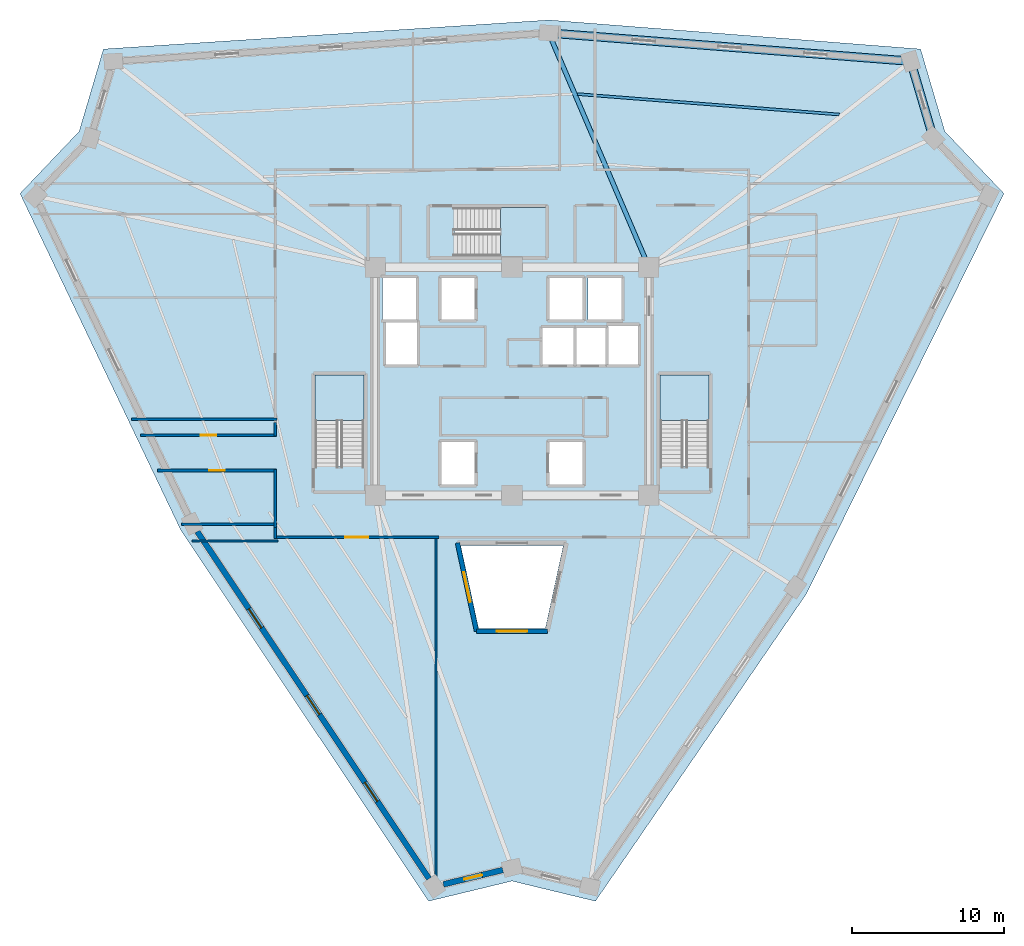
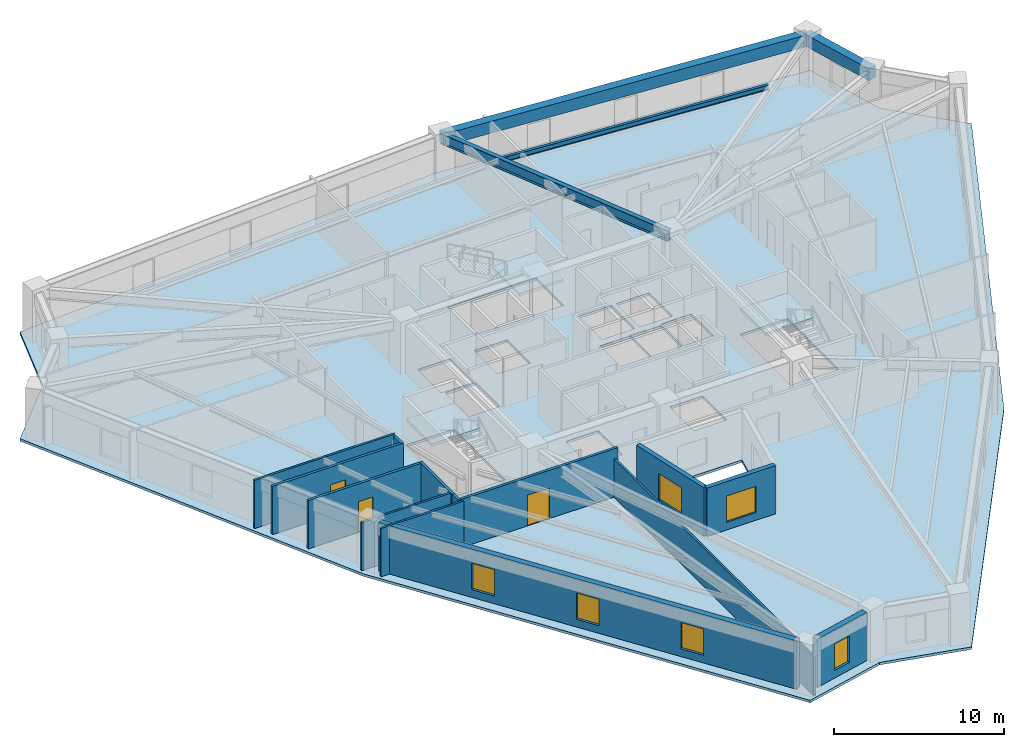
# One storey, part 2 of 8: 14 walls, 6 windows, 4 beams, 4 slabs, 3 doors, 9 openings, 3 elements without a shape of their own.
"""IFC4 building model written with IfcOpenShell, lengths in metres."""

import ifcopenshell
import ifcopenshell.guid

model = None  # the IFC model being written
_history = None  # IfcOwnerHistory: only IFC2X3 demands one
_inside = {}  # id of a spatial element -> (the spatial element, [elements in it])
_under = {}  # id of a project, library or spatial element -> (it, [spatial elements below it])
_declared = {}  # id of a project -> (the project, [libraries it declares])
_typed = {}  # id of a type object -> (the type object, [elements of that type])
_made_of = {}  # id of a material, layer set ... -> (it, [elements and type objects made of it])


def new_model(schema):
    """Start an empty IFC model of exactly this schema.

    Asked for "IFC4X3", IfcOpenShell would pick the latest addendum, in which some entities
    have other attributes; the version numbers below select the first issue.
    IFC2X3 requires an IfcOwnerHistory on every rooted entity: one is made here for all.
    """
    global model, _history
    if schema == "IFC4X3":
        model = ifcopenshell.file(schema_version=(4, 3, 0, 0))
    else:
        model = ifcopenshell.file(schema=schema)
    _inside.clear()
    _under.clear()
    _declared.clear()
    _typed.clear()
    _made_of.clear()
    _history = None
    if model.schema == "IFC2X3":
        org = make("IfcOrganization", Name="unknown")
        user = make(
            "IfcPersonAndOrganization",
            ThePerson=make("IfcPerson", FamilyName="unknown"),
            TheOrganization=org,
        )
        app = make(
            "IfcApplication",
            ApplicationDeveloper=org,
            Version="unknown",
            ApplicationFullName="unknown",
            ApplicationIdentifier="unknown",
        )
        _history = make(
            "IfcOwnerHistory",
            OwningUser=user,
            OwningApplication=app,
            ChangeAction="ADDED",
            CreationDate=0,
        )
    return model


def make(cls, **values):
    """One entity of the class cls with the attributes given. An attribute that is None is left unset."""
    return model.create_entity(
        cls, **{name: value for name, value in values.items() if value is not None}
    )


def rooted(cls, **values):
    """An entity with a GlobalId (a new one), such as an element, a storey or a relation."""
    return make(cls, GlobalId=ifcopenshell.guid.new(), OwnerHistory=_history, **values)


def si_unit(unit_type, name, prefix=None):
    """IfcSIUnit, for example si_unit("LENGTHUNIT", "METRE", prefix="MILLI")."""
    return make("IfcSIUnit", UnitType=unit_type, Prefix=prefix, Name=name)


def assignment(units):
    """IfcUnitAssignment: the units of a project."""
    return None if units is None else make("IfcUnitAssignment", Units=units)


def point(xyz):
    """IfcCartesianPoint."""
    return None if xyz is None else make("IfcCartesianPoint", Coordinates=xyz)


def direction(xyz):
    """IfcDirection."""
    return None if xyz is None else make("IfcDirection", DirectionRatios=xyz)


def frame(location, z_axis=None, x_axis=None):
    """IfcAxis2Placement3D, a coordinate frame: its origin and axes. An axis left out is left unset."""
    return make(
        "IfcAxis2Placement3D",
        Location=point(location),
        Axis=direction(z_axis),
        RefDirection=direction(x_axis),
    )


def frame_2d(location, x_axis=None):
    """IfcAxis2Placement2D, a coordinate frame in the plane: its origin and x axis."""
    return make(
        "IfcAxis2Placement2D", Location=point(location), RefDirection=direction(x_axis)
    )


def origin():
    """The frame at (0, 0, 0) with its axes left unset."""
    return frame((0.0, 0.0, 0.0))


def origin_2d():
    """The frame at (0, 0) in the plane with its x axis left unset."""
    return frame_2d((0.0, 0.0))


def place(relative_to, where):
    """IfcLocalPlacement: puts the frame where relative to a parent placement (None: the world)."""
    return make(
        "IfcLocalPlacement", PlacementRelTo=relative_to, RelativePlacement=where
    )


def context(
    kind, dimensions, precision=None, world=None, true_north=None, identifier=None
):
    """IfcGeometricRepresentationContext, for example the 3D "Model" context."""
    return make(
        "IfcGeometricRepresentationContext",
        ContextIdentifier=identifier,
        ContextType=kind,
        CoordinateSpaceDimension=dimensions,
        Precision=precision,
        WorldCoordinateSystem=world,
        TrueNorth=true_north,
    )


def subcontext(parent, identifier, kind, view, scale=None):
    """IfcGeometricRepresentationSubContext, for example "Body" below "Model"."""
    return make(
        "IfcGeometricRepresentationSubContext",
        ContextIdentifier=identifier,
        ContextType=kind,
        ParentContext=parent,
        TargetScale=scale,
        TargetView=view,
    )


def project(units=None, contexts=None):
    """IfcProject with its units and contexts."""
    return rooted(
        "IfcProject",
        Name="project",
        RepresentationContexts=contexts,
        UnitsInContext=assignment(units),
    )


def spatial(cls, under=None, at=None, **own):
    """A site, building, storey or space (cls), placed at a placement, below another one or the project."""
    s = rooted(cls, ObjectPlacement=at, **own)
    if under is not None:
        _under.setdefault(under.id(), (under, []))[1].append(s)
    return s


def polyline(points):
    """IfcPolyline through the points."""
    return make("IfcPolyline", Points=[point(p) for p in points])


def profile(cls, at=None, kind="AREA", **sizes):
    """A parametric profile (cls). Its sizes go by their IFC names, for example OverallWidth=200.0."""
    return make(cls, ProfileType=kind, Position=at, **sizes)


def rectangle(**sizes):
    """IfcRectangleProfileDef."""
    return profile("IfcRectangleProfileDef", **sizes)


def i_section(**sizes):
    """IfcIShapeProfileDef."""
    return profile("IfcIShapeProfileDef", **sizes)


def outline(outer, holes=None, kind="AREA"):
    """IfcArbitraryClosedProfileDef: a profile drawn as a closed curve; with holes, ...WithVoids."""
    if holes is None:
        return make("IfcArbitraryClosedProfileDef", ProfileType=kind, OuterCurve=outer)
    return make(
        "IfcArbitraryProfileDefWithVoids",
        ProfileType=kind,
        OuterCurve=outer,
        InnerCurves=holes,
    )


def extrude(swept, where, along, depth):
    """IfcExtrudedAreaSolid: the profile swept, set in the frame where, extruded along a direction by depth."""
    return make(
        "IfcExtrudedAreaSolid",
        SweptArea=swept,
        Position=where,
        ExtrudedDirection=direction(along),
        Depth=depth,
    )


def shape(context_of_items, identifier, shape_type, items):
    """IfcShapeRepresentation: the items that make up one representation, for example the "Body"."""
    return make(
        "IfcShapeRepresentation",
        ContextOfItems=context_of_items,
        RepresentationIdentifier=identifier,
        RepresentationType=shape_type,
        Items=items,
    )


def source(mapping_origin, context_of_items, identifier, shape_type, items):
    """IfcRepresentationMap: a shape defined once, which mapped items show again and again."""
    return make(
        "IfcRepresentationMap",
        MappingOrigin=mapping_origin,
        MappedRepresentation=shape(context_of_items, identifier, shape_type, items),
    )


def transform(
    local_origin,
    x_axis=None,
    y_axis=None,
    z_axis=None,
    scale=None,
    scale2=None,
    scale3=None,
    uniform=True,
):
    """IfcCartesianTransformationOperator3D, or its non-uniform kind. x_axis, y_axis, z_axis: its Axis1, 2, 3."""
    if uniform:
        return make(
            "IfcCartesianTransformationOperator3D",
            Axis1=direction(x_axis),
            Axis2=direction(y_axis),
            LocalOrigin=point(local_origin),
            Scale=scale,
            Axis3=direction(z_axis),
        )
    return make(
        "IfcCartesianTransformationOperator3DnonUniform",
        Axis1=direction(x_axis),
        Axis2=direction(y_axis),
        LocalOrigin=point(local_origin),
        Scale=scale,
        Axis3=direction(z_axis),
        Scale2=scale2,
        Scale3=scale3,
    )


def mapped(mapping_source, mapping_target):
    """IfcMappedItem: shows the shape of a source again, moved by a transform."""
    return make(
        "IfcMappedItem", MappingSource=mapping_source, MappingTarget=mapping_target
    )


def material(Name=None, Category=None):
    """IfcMaterial."""
    return make("IfcMaterial", Name=Name, Category=Category)


def layer(
    of_material, thickness, ventilated=None, Name=None, Category=None, Priority=None
):
    """IfcMaterialLayer: one layer of a wall or slab, of a material (None: an air gap)."""
    return make(
        "IfcMaterialLayer",
        Material=of_material,
        LayerThickness=thickness,
        IsVentilated=ventilated,
        Name=Name,
        Category=Category,
        Priority=Priority,
    )


def layer_set(layers, Name=None):
    """IfcMaterialLayerSet."""
    return make("IfcMaterialLayerSet", MaterialLayers=layers, LayerSetName=Name)


def material_profile(
    of_material, cross_section, Name=None, Category=None, Priority=None
):
    """IfcMaterialProfile: a cross section and its material."""
    return make(
        "IfcMaterialProfile",
        Name=Name,
        Material=of_material,
        Profile=cross_section,
        Priority=Priority,
        Category=Category,
    )


def profile_set(profiles, Name=None, composite=None):
    """IfcMaterialProfileSet."""
    return make(
        "IfcMaterialProfileSet",
        Name=Name,
        MaterialProfiles=profiles,
        CompositeProfile=composite,
    )


def made_of(thing, what):
    """Note that an element or type object is made of a material, layer set ...; save() writes the relation."""
    if what is not None:
        _made_of.setdefault(what.id(), (what, []))[1].append(thing)
    return thing


def type_object(cls, material=None, **own):
    """A type object (cls), such as IfcWallType, which elements share."""
    return made_of(rooted(cls, **own), material)


def element(
    cls,
    number,
    at=None,
    inside=None,
    cuts=None,
    type_object=None,
    material=None,
    context=None,
    identifier="Body",
    shape_type=None,
    held_by="IfcProductDefinitionShape",
    body=None,
    shapes=None,
    **own,
):
    """One element of the class cls, such as IfcWall. Its Tag is "e" and its number.

    at: its placement. inside: the storey or other place that contains it. cuts: it is an
    opening in that element (IfcRelVoidsElement). A single representation is given by context,
    identifier, shape_type and body (its items); several are given by shapes. held_by: the class
    of the entity that holds the representations. save() writes the other relations.
    """
    e = rooted(cls, Tag="e%d" % number, ObjectPlacement=at, **own)
    if body is not None:
        shapes = [shape(context, identifier, shape_type, body)]
    if shapes is not None:
        e.Representation = make(held_by, Representations=shapes)
    if inside is not None:
        _inside.setdefault(inside.id(), (inside, []))[1].append(e)
    if cuts is not None:
        rooted(
            "IfcRelVoidsElement", RelatingBuildingElement=cuts, RelatedOpeningElement=e
        )
    if type_object is not None:
        _typed.setdefault(type_object.id(), (type_object, []))[1].append(e)
    return made_of(e, material)


def fill(opening, filler):
    """IfcRelFillsElement: the door or window that sits in an opening."""
    return rooted(
        "IfcRelFillsElement",
        RelatingOpeningElement=opening,
        RelatedBuildingElement=filler,
    )


def aggregate(whole, parts):
    """IfcRelAggregates: a whole, such as a stair, and the parts it consists of."""
    return rooted("IfcRelAggregates", RelatingObject=whole, RelatedObjects=parts)


def save(model, path):
    """Write the relations noted so far, then the file.

    IfcRelAggregates (storeys below a building ...), IfcRelContainedInSpatialStructure (elements
    in a storey), IfcRelDefinesByType, IfcRelAssociatesMaterial and IfcRelDeclares: one each for
    every whole, place, type object, material and project.
    """
    for whole, parts in _under.values():
        aggregate(whole, parts)
    for where, things in _inside.values():
        rooted(
            "IfcRelContainedInSpatialStructure",
            RelatedElements=things,
            RelatingStructure=where,
        )
    for kind, things in _typed.values():
        rooted("IfcRelDefinesByType", RelatedObjects=things, RelatingType=kind)
    for what, things in _made_of.values():
        rooted("IfcRelAssociatesMaterial", RelatedObjects=things, RelatingMaterial=what)
    for by, libraries in _declared.values():
        rooted("IfcRelDeclares", RelatingContext=by, RelatedDefinitions=libraries)
    model.write(path)


model = new_model("IFC4")

# Units and contexts
model_context = context("Model", 3, precision=1e-05, world=origin(), true_north=direction((0.0, 1.0)))
body_context = subcontext(model_context, "Body", "Model", "MODEL_VIEW")
ifc_project = project(units=[si_unit("LENGTHUNIT", "METRE"), si_unit("AREAUNIT", "SQUARE_METRE"), si_unit("VOLUMEUNIT", "CUBIC_METRE"), si_unit("PLANEANGLEUNIT", "RADIAN"), si_unit("MASSUNIT", "GRAM", prefix="KILO")], contexts=[model_context])

# Site, building, storey
site_placement = place(None, origin())
site = spatial("IfcSite", under=ifc_project, at=site_placement, CompositionType="ELEMENT")
building_placement = place(site_placement, origin())
building = spatial("IfcBuilding", under=site, at=building_placement, Name="Liaohun Quay Tower", CompositionType="ELEMENT")
storey_placement = place(building_placement, frame((0.0, 0.0, 273.75)))
storey = spatial("IfcBuildingStorey", under=building, at=storey_placement, Name="L71", CompositionType="ELEMENT", Elevation=273.75)

# Beams
ifc_material_1 = material(Name="Steel Q355D", Category="steel")
ifc_material_profile_1 = material_profile(ifc_material_1, i_section(OverallWidth=0.300048828125, OverallDepth=0.75, WebThickness=0.013916015625, FlangeThickness=0.02587890625, at=origin_2d()), Name="HN750x300x14x26")
ifc_profile_set_1 = profile_set([ifc_material_profile_1], Name="Steel Q355D")
beam_type_1 = type_object("IfcBeamType", Name="BM-RAD-M2", PredefinedType="BEAM", material=ifc_profile_set_1)
shared_shape_1 = source(origin(), body_context, "Body", "SweptSolid", [
    extrude(i_section(OverallWidth=0.300048828125, OverallDepth=0.75, WebThickness=0.013916015625, FlangeThickness=0.02587890625, at=origin_2d()), origin(), (0.0, 0.0, 1.0), 16.7490234375),
])
beam_1_placement = place(storey_placement, frame((69.0, 61.5, 3.094970703125), z_axis=(-0.393331635304, 0.919396663399, 0.0), x_axis=(-0.919396663399, -0.393331635304, 0.0)))
element("IfcBeam", 1, at=beam_1_placement, inside=storey, type_object=beam_type_1, Name="L71 Radial Primary Girder CC4-PC06", PredefinedType="BEAM", context=body_context, shape_type="MappedRepresentation", body=[
    mapped(shared_shape_1, transform((0.0, 0.0, 0.0), x_axis=(1.0, 0.0, 0.0), y_axis=(0.0, 1.0, 0.0), z_axis=(0.0, 0.0, 1.0), scale=1.0)),
])
ifc_material_profile_2 = material_profile(ifc_material_1, i_section(OverallWidth=0.175048828125, OverallDepth=0.35009765625, WebThickness=0.007080078125, FlangeThickness=0.010986328125, at=origin_2d()), Name="HN350x175x7x11")
ifc_profile_set_2 = profile_set([ifc_material_profile_2], Name="Steel Q355D")
beam_type_2 = type_object("IfcBeamType", Name="BM-SEC-J3", PredefinedType="JOIST", material=ifc_profile_set_2)
shared_shape_2 = source(origin(), body_context, "Body", "SweptSolid", [
    extrude(i_section(OverallWidth=0.175048828125, OverallDepth=0.35009765625, WebThickness=0.007080078125, FlangeThickness=0.010986328125, at=origin_2d()), origin(), (0.0, 0.0, 1.0), 17.2734375),
])
beam_2_placement = place(storey_placement, frame((64.2939453125, 72.882080078125, 3.294921875), z_axis=(0.996964010265, -0.077863741477, 0.0), x_axis=(0.077863741477, 0.996964010265, 0.0)))
element("IfcBeam", 2, at=beam_2_placement, inside=storey, type_object=beam_type_2, Name="L71 Wing Secondary Floor Joist SJ-09", PredefinedType="JOIST", context=body_context, shape_type="MappedRepresentation", body=[
    mapped(shared_shape_2, transform((0.0, 0.0, 0.0), x_axis=(1.0, 0.0, 0.0), y_axis=(0.0, 1.0, 0.0), z_axis=(0.0, 0.0, 1.0), scale=1.0)),
])
ifc_material_2 = material(Name="Precast concrete C50", Category="concrete")
ifc_material_profile_3 = material_profile(ifc_material_2, rectangle(XDim=0.550048828125, YDim=0.85009765625, at=origin_2d()), Name="RC550x850")
ifc_profile_set_3 = profile_set([ifc_material_profile_3], Name="Precast concrete C50")
beam_type_3 = type_object("IfcBeamType", Name="BM-SPD-Z3", PredefinedType="SPANDREL", material=ifc_profile_set_3)
shared_shape_3 = source(origin(), body_context, "Body", "SweptSolid", [
    extrude(rectangle(XDim=0.550048828125, YDim=0.85009765625, at=origin_2d()), origin(), (0.0, 0.0, 1.0), 23.870361328125),
])
beam_3_placement = place(storey_placement, frame((62.412109375, 76.89892578125, 3.044921875), z_axis=(0.996963183645, -0.07787432476, 0.0), x_axis=(0.07787432476, 0.996963183645, 0.0)))
element("IfcBeam", 3, at=beam_3_placement, inside=storey, type_object=beam_type_3, Name="L71 Precast Spandrel Beam PC06-PC07", PredefinedType="SPANDREL", context=body_context, shape_type="MappedRepresentation", body=[
    mapped(shared_shape_3, transform((0.0, 0.0, 0.0), x_axis=(1.0, 0.0, 0.0), y_axis=(0.0, 1.0, 0.0), z_axis=(0.0, 0.0, 1.0), scale=1.0)),
])
shared_shape_4 = source(origin(), body_context, "Body", "SweptSolid", [
    extrude(rectangle(XDim=0.550048828125, YDim=0.85009765625, at=origin_2d()), origin(), (0.0, 0.0, 1.0), 5.262939453125),
])
beam_4_placement = place(storey_placement, frame((86.2099609375, 75.0400390625, 3.044921875), z_axis=(0.282743925376, -0.959195429859, 0.0), x_axis=(0.959195429859, 0.282743925376, 0.0)))
element("IfcBeam", 4, at=beam_4_placement, inside=storey, type_object=beam_type_3, Name="L71 Precast Spandrel Beam PC07-PC08", PredefinedType="SPANDREL", context=body_context, shape_type="MappedRepresentation", body=[
    mapped(shared_shape_4, transform((0.0, 0.0, 0.0), x_axis=(1.0, 0.0, 0.0), y_axis=(0.0, 1.0, 0.0), z_axis=(0.0, 0.0, 1.0), scale=1.0)),
])

# Stair, slab
ifc_material_3 = material(Name="Concrete C45", Category="concrete")
stair_type = type_object("IfcStairType", Name="STR-CORE-OFF", PredefinedType="HALF_TURN_STAIR", material=ifc_material_3)
stair_1_placement = place(storey_placement, origin())
stair_1 = element("IfcStair", 5, at=stair_1_placement, inside=storey, type_object=stair_type, Name="L71 Smokeproof Core Exit Stair ST-1", PredefinedType="HALF_TURN_STAIR")
ifc_layer_1 = layer(ifc_material_3, 0.199951171875, Name="Concrete C45", Category="concrete")
ifc_layer_set_1 = layer_set([ifc_layer_1], Name="Concrete C45")
slab_type_1 = type_object("IfcSlabType", Name="SLB-LND-200", PredefinedType="LANDING", material=ifc_layer_set_1)
slab_1_placement = place(storey_placement, frame((0.0, 0.0, 1.675048828125)))
slab_1 = element("IfcSlab", 6, at=slab_1_placement, type_object=slab_type_1, Name="ST-1 landing 1", PredefinedType="LANDING", context=body_context, shape_type="SweptSolid", body=[
    extrude(outline(polyline([(50.280029296875, 51.429931640625), (50.280029296875, 54.419921875), (47.0400390625, 54.419921875), (47.0400390625, 51.429931640625), (50.280029296875, 51.429931640625)])), origin(), (0.0, 0.0, 1.0), 0.199951171875),
])
aggregate(stair_1, [slab_1])

stair_2_placement = place(storey_placement, origin())
stair_2 = element("IfcStair", 7, at=stair_2_placement, inside=storey, type_object=stair_type, Name="L71 Smokeproof Core Exit Stair ST-2", PredefinedType="HALF_TURN_STAIR")
slab_2_placement = place(storey_placement, frame((0.0, 0.0, 1.675048828125)))
slab_2 = element("IfcSlab", 8, at=slab_2_placement, type_object=slab_type_1, Name="ST-2 landing 1", PredefinedType="LANDING", context=body_context, shape_type="SweptSolid", body=[
    extrude(outline(polyline([(72.9599609375, 51.429931640625), (72.9599609375, 54.419921875), (69.719970703125, 54.419921875), (69.719970703125, 51.429931640625), (72.9599609375, 51.429931640625)])), origin(), (0.0, 0.0, 1.0), 0.199951171875),
])
aggregate(stair_2, [slab_2])

stair_3_placement = place(storey_placement, origin())
stair_3 = element("IfcStair", 9, at=stair_3_placement, inside=storey, type_object=stair_type, Name="L71 Smokeproof Core Exit Stair ST-3", PredefinedType="HALF_TURN_STAIR")
slab_3_placement = place(storey_placement, frame((0.0, 0.0, 1.675048828125)))
slab_3 = element("IfcSlab", 10, at=slab_3_placement, type_object=slab_type_1, Name="ST-3 landing 1", PredefinedType="LANDING", context=body_context, shape_type="SweptSolid", body=[
    extrude(outline(polyline([(59.22998046875, 62.199951171875), (62.219970703125, 62.199951171875), (62.219970703125, 65.43994140625), (59.22998046875, 65.43994140625), (59.22998046875, 62.199951171875)])), origin(), (0.0, 0.0, 1.0), 0.199951171875),
])
aggregate(stair_3, [slab_3])

# Slab
ifc_layer_2 = layer(ifc_material_3, 0.179931640625, Name="Concrete C45", Category="concrete")
ifc_layer_set_2 = layer_set([ifc_layer_2], Name="Concrete C45")
slab_type_2 = type_object("IfcSlabType", Name="SLB-OFF-180", PredefinedType="FLOOR", material=ifc_layer_set_2)
slab_4_placement = place(storey_placement, frame((0.0, 0.0, -0.179931640625)))
element("IfcSlab", 11, at=slab_4_placement, inside=storey, type_object=slab_type_2, Name="L71 Structural Floor Slab", PredefinedType="FLOOR", context=body_context, shape_type="SweptSolid", body=[
    extrude(outline(polyline([(54.514892578125, 19.818115234375), (60.0, 21.14306640625), (65.485107421875, 19.818115234375), (79.360107421875, 40.031005859375), (92.344970703125, 66.341064453125), (88.455078125, 70.428955078125), (86.860107421875, 75.842041015625), (62.4169921875, 77.7509765625), (33.139892578125, 75.842041015625), (31.544921875, 70.428955078125), (27.655029296875, 66.341064453125), (38.222900390625, 44.218017578125), (54.514892578125, 19.818115234375)]), holes=[polyline([(63.373046875, 43.199951171875), (56.626953125, 43.199951171875), (57.80810546875, 37.739990234375), (62.19189453125, 37.739990234375), (63.373046875, 43.199951171875)]), polyline([(57.56005859375, 47.2099609375), (57.56005859375, 50.030029296875), (55.340087890625, 50.030029296875), (55.340087890625, 47.2099609375), (57.56005859375, 47.2099609375)]), polyline([(50.280029296875, 54.419921875), (47.0400390625, 54.419921875), (47.0400390625, 48.409912109375), (50.280029296875, 48.409912109375), (50.280029296875, 54.419921875)]), polyline([(53.760009765625, 55.090087890625), (53.760009765625, 57.909912109375), (51.7099609375, 57.909912109375), (51.7099609375, 55.090087890625), (53.760009765625, 55.090087890625)]), polyline([(53.7099609375, 58.0400390625), (53.7099609375, 60.7900390625), (51.489990234375, 60.7900390625), (51.489990234375, 58.0400390625), (53.7099609375, 58.0400390625)]), polyline([(57.56005859375, 58.0400390625), (57.56005859375, 60.7900390625), (55.340087890625, 60.7900390625), (55.340087890625, 58.0400390625), (57.56005859375, 58.0400390625)]), polyline([(62.219970703125, 62.199951171875), (62.219970703125, 65.43994140625), (56.2099609375, 65.43994140625), (56.2099609375, 62.199951171875), (62.219970703125, 62.199951171875)]), polyline([(64.659912109375, 50.030029296875), (62.43994140625, 50.030029296875), (62.43994140625, 47.2099609375), (64.659912109375, 47.2099609375), (64.659912109375, 50.030029296875)]), polyline([(72.9599609375, 54.419921875), (69.719970703125, 54.419921875), (69.719970703125, 48.409912109375), (72.9599609375, 48.409912109375), (72.9599609375, 54.419921875)]), polyline([(64.06005859375, 55.090087890625), (64.06005859375, 57.510009765625), (61.989990234375, 57.510009765625), (61.989990234375, 55.090087890625), (64.06005859375, 55.090087890625)]), polyline([(66.159912109375, 55.090087890625), (66.159912109375, 57.510009765625), (64.090087890625, 57.510009765625), (64.090087890625, 55.090087890625), (66.159912109375, 55.090087890625)]), polyline([(68.2900390625, 55.090087890625), (68.2900390625, 57.659912109375), (66.2900390625, 57.659912109375), (66.2900390625, 55.090087890625), (68.2900390625, 55.090087890625)]), polyline([(64.659912109375, 58.0400390625), (64.659912109375, 60.7900390625), (62.43994140625, 60.7900390625), (62.43994140625, 58.0400390625), (64.659912109375, 58.0400390625)]), polyline([(67.2099609375, 58.0400390625), (67.2099609375, 60.7900390625), (64.989990234375, 60.7900390625), (64.989990234375, 58.0400390625), (67.2099609375, 58.0400390625)])]), origin(), (0.0, 0.0, 1.0), 0.179931640625),
])

# Wall, opening, window
ifc_material_4 = material(Name="Concrete C50", Category="concrete")
ifc_layer_3 = layer(ifc_material_4, 0.300048828125, Name="Concrete C50", Category="concrete")
ifc_layer_set_3 = layer_set([ifc_layer_3], Name="Concrete C50")
wall_type_1 = type_object("IfcWallType", Name="WAL-ATR-300", PredefinedType="SOLIDWALL", material=ifc_layer_set_3)
wall_1_placement = place(storey_placement, frame((57.6708984375, 37.570068359375, 0.0), z_axis=(0.0, 0.0, 1.0), x_axis=(-0.211464510569, 0.977385676573, 0.0)))
wall_1 = element("IfcWall", 12, at=wall_1_placement, inside=storey, type_object=wall_type_1, Name="L71 Atrium Fire Compartment Wall 1", PredefinedType="SOLIDWALL", context=body_context, shape_type="SweptSolid", body=[
    extrude(rectangle(XDim=5.934326171875, YDim=0.300048828125, at=frame_2d((2.96728515625, 0.0))), origin(), (0.0, 0.0, 1.0), 3.469970703125),
])
shared_shape_5 = source(origin(), body_context, "Body", "SweptSolid", [
    extrude(rectangle(XDim=2.0, YDim=1.89990234375, at=frame_2d((1.0, 0.949951171875))), frame((0.0, 0.159912109375, 0.0), z_axis=(0.0, -1.0, 0.0), x_axis=(1.0, 0.0, 0.0)), (0.0, 0.0, 1.0), 0.320068359375),
])
opening_1_placement = place(wall_1_placement, frame((1.967041015625, 0.0, 0.550048828125)))
opening_1 = element("IfcOpeningElement", 13, at=opening_1_placement, cuts=wall_1, Name="Opening W07", PredefinedType="OPENING", context=body_context, shape_type="MappedRepresentation", body=[
    mapped(shared_shape_5, transform((0.0, 0.0, 0.0), x_axis=(1.0, 0.0, 0.0), y_axis=(0.0, 1.0, 0.0), z_axis=(0.0, 0.0, 1.0), scale=1.0)),
])
ifc_material_5 = material(Name="Class A 180-min fire-resistant insulated glazing", Category="glass")
window_type_1 = type_object("IfcWindowType", Name="WIN-ATR-FIR", PartitioningType="DOUBLE_PANEL_VERTICAL", PredefinedType="WINDOW", material=ifc_material_5)
shared_shape_6 = source(origin(), body_context, "Body", "SweptSolid", [
    extrude(rectangle(XDim=2.0, YDim=1.89990234375, at=frame_2d((1.0, 0.949951171875))), frame((0.0, 0.030029296875, 0.0), z_axis=(0.0, -1.0, 0.0), x_axis=(1.0, 0.0, 0.0)), (0.0, 0.0, 1.0), 0.06005859375),
])
window_1_placement = place(opening_1_placement, origin())
window_1 = element("IfcWindow", 14, at=window_1_placement, inside=storey, type_object=window_type_1, Name="L71 Atrium Fire-Resistant Glazing W07-1", OverallHeight=1.89990234375, OverallWidth=2.0, PartitioningType="DOUBLE_PANEL_VERTICAL", PredefinedType="WINDOW", context=body_context, shape_type="MappedRepresentation", body=[
    mapped(shared_shape_6, transform((0.0, 0.0, 0.0), x_axis=(1.0, 0.0, 0.0), y_axis=(0.0, 1.0, 0.0), z_axis=(0.0, 0.0, 1.0), scale=1.0)),
])
fill(opening_1, window_1)

wall_2_placement = place(storey_placement, frame((62.3291015625, 37.570068359375, 0.0), z_axis=(0.0, 0.0, 1.0), x_axis=(-1.0, 0.0, 0.0)))
wall_2 = element("IfcWall", 15, at=wall_2_placement, inside=storey, type_object=wall_type_1, Name="L71 Atrium Fire Compartment Wall 4", PredefinedType="SOLIDWALL", context=body_context, shape_type="SweptSolid", body=[
    extrude(rectangle(XDim=4.658203125, YDim=0.300048828125, at=frame_2d((2.3291015625, 0.0))), origin(), (0.0, 0.0, 1.0), 3.469970703125),
])
opening_2_placement = place(wall_2_placement, frame((1.3291015625, 0.0, 0.550048828125)))
opening_2 = element("IfcOpeningElement", 16, at=opening_2_placement, cuts=wall_2, Name="Opening W07", PredefinedType="OPENING", context=body_context, shape_type="MappedRepresentation", body=[
    mapped(shared_shape_5, transform((0.0, 0.0, 0.0), x_axis=(1.0, 0.0, 0.0), y_axis=(0.0, 1.0, 0.0), z_axis=(0.0, 0.0, 1.0), scale=1.0)),
])
window_2_placement = place(opening_2_placement, origin())
window_2 = element("IfcWindow", 17, at=window_2_placement, inside=storey, type_object=window_type_1, Name="L71 Atrium Fire-Resistant Glazing W07-4", OverallHeight=1.89990234375, OverallWidth=2.0, PartitioningType="DOUBLE_PANEL_VERTICAL", PredefinedType="WINDOW", context=body_context, shape_type="MappedRepresentation", body=[
    mapped(shared_shape_6, transform((0.0, 0.0, 0.0), x_axis=(1.0, 0.0, 0.0), y_axis=(0.0, 1.0, 0.0), z_axis=(0.0, 0.0, 1.0), scale=1.0)),
])
fill(opening_2, window_2)

# Wall, openings, windows
ifc_material_6 = material(Name="Precast concrete C50 insulated sandwich", Category="concrete")
ifc_layer_4 = layer(ifc_material_6, 0.3798828125, Name="Precast concrete C50 insulated sandwich", Category="concrete")
ifc_layer_set_4 = layer_set([ifc_layer_4], Name="Precast concrete C50 insulated sandwich")
wall_type_2 = type_object("IfcWallType", Name="WAL-EXT-Z34", PredefinedType="SOLIDWALL", material=ifc_layer_set_4)
wall_3_placement = place(storey_placement, frame((39.305908203125, 44.1279296875, 0.0), z_axis=(0.0, 0.0, 1.0), x_axis=(0.555258257402, -0.831677983108, 0.0)))
wall_3 = element("IfcWall", 18, at=wall_3_placement, inside=storey, type_object=wall_type_2, Name="L71 Brutalist Precast Pier Wall 11", PredefinedType="SOLIDWALL", context=body_context, shape_type="SweptSolid", body=[
    extrude(rectangle(XDim=27.4541015625, YDim=0.3798828125, at=frame_2d((13.72705078125, 0.0))), origin(), (0.0, 0.0, 1.0), 3.469970703125),
])
shared_shape_7 = source(origin(), body_context, "Body", "SweptSolid", [
    extrude(rectangle(XDim=1.5, YDim=1.89990234375, at=frame_2d((0.75, 0.949951171875))), frame((0.0, 0.199951171875, 0.0), z_axis=(0.0, -1.0, 0.0), x_axis=(1.0, 0.0, 0.0)), (0.0, 0.0, 1.0), 0.39990234375),
])
opening_3_placement = place(wall_3_placement, frame((6.114013671875, 0.0, 0.550048828125)))
opening_3 = element("IfcOpeningElement", 19, at=opening_3_placement, cuts=wall_3, Name="Opening W03", PredefinedType="OPENING", context=body_context, shape_type="MappedRepresentation", body=[
    mapped(shared_shape_7, transform((0.0, 0.0, 0.0), x_axis=(1.0, 0.0, 0.0), y_axis=(0.0, 1.0, 0.0), z_axis=(0.0, 0.0, 1.0), scale=1.0)),
])
opening_4_placement = place(wall_3_placement, frame((12.97705078125, 0.0, 0.550048828125)))
opening_4 = element("IfcOpeningElement", 20, at=opening_4_placement, cuts=wall_3, Name="Opening W03", PredefinedType="OPENING", context=body_context, shape_type="MappedRepresentation", body=[
    mapped(shared_shape_7, transform((0.0, 0.0, 0.0), x_axis=(1.0, 0.0, 0.0), y_axis=(0.0, 1.0, 0.0), z_axis=(0.0, 0.0, 1.0), scale=1.0)),
])
opening_5_placement = place(wall_3_placement, frame((19.841064453125, 0.0, 0.550048828125)))
opening_5 = element("IfcOpeningElement", 21, at=opening_5_placement, cuts=wall_3, Name="Opening W03", PredefinedType="OPENING", context=body_context, shape_type="MappedRepresentation", body=[
    mapped(shared_shape_7, transform((0.0, 0.0, 0.0), x_axis=(1.0, 0.0, 0.0), y_axis=(0.0, 1.0, 0.0), z_axis=(0.0, 0.0, 1.0), scale=1.0)),
])
ifc_material_7 = material(Name="Triple Low-E argon glazing in thermally broken aluminium", Category="aluminium")
window_type_2 = type_object("IfcWindowType", Name="WIN-PUN-Z3", PartitioningType="DOUBLE_PANEL_VERTICAL", PredefinedType="WINDOW", material=ifc_material_7)
shared_shape_8 = source(origin(), body_context, "Body", "SweptSolid", [
    extrude(rectangle(XDim=1.5, YDim=1.89990234375, at=frame_2d((0.75, 0.949951171875))), frame((0.0, 0.030029296875, 0.0), z_axis=(0.0, -1.0, 0.0), x_axis=(1.0, 0.0, 0.0)), (0.0, 0.0, 1.0), 0.06005859375),
])
window_3_placement = place(opening_3_placement, origin())
window_3 = element("IfcWindow", 22, at=window_3_placement, inside=storey, type_object=window_type_2, Name="L71 Recessed Cold-Climate Punched Window 11-1", OverallHeight=1.89990234375, OverallWidth=1.5, PartitioningType="DOUBLE_PANEL_VERTICAL", PredefinedType="WINDOW", context=body_context, shape_type="MappedRepresentation", body=[
    mapped(shared_shape_8, transform((0.0, 0.0, 0.0), x_axis=(1.0, 0.0, 0.0), y_axis=(0.0, 1.0, 0.0), z_axis=(0.0, 0.0, 1.0), scale=1.0)),
])
fill(opening_3, window_3)
window_4_placement = place(opening_4_placement, origin())
window_4 = element("IfcWindow", 23, at=window_4_placement, inside=storey, type_object=window_type_2, Name="L71 Recessed Cold-Climate Punched Window 11-2", OverallHeight=1.89990234375, OverallWidth=1.5, PartitioningType="DOUBLE_PANEL_VERTICAL", PredefinedType="WINDOW", context=body_context, shape_type="MappedRepresentation", body=[
    mapped(shared_shape_8, transform((0.0, 0.0, 0.0), x_axis=(1.0, 0.0, 0.0), y_axis=(0.0, 1.0, 0.0), z_axis=(0.0, 0.0, 1.0), scale=1.0)),
])
fill(opening_4, window_4)
window_5_placement = place(opening_5_placement, origin())
window_5 = element("IfcWindow", 24, at=window_5_placement, inside=storey, type_object=window_type_2, Name="L71 Recessed Cold-Climate Punched Window 11-3", OverallHeight=1.89990234375, OverallWidth=1.5, PartitioningType="DOUBLE_PANEL_VERTICAL", PredefinedType="WINDOW", context=body_context, shape_type="MappedRepresentation", body=[
    mapped(shared_shape_8, transform((0.0, 0.0, 0.0), x_axis=(1.0, 0.0, 0.0), y_axis=(0.0, 1.0, 0.0), z_axis=(0.0, 0.0, 1.0), scale=1.0)),
])
fill(opening_5, window_5)

# Wall, opening, window
wall_4_placement = place(storey_placement, frame((55.489990234375, 20.927978515625, 0.0), z_axis=(0.0, 0.0, 1.0), x_axis=(0.972038774705, 0.234820400455, 0.0)))
wall_4 = element("IfcWall", 25, at=wall_4_placement, inside=storey, type_object=wall_type_2, Name="L71 Brutalist Precast Pier Wall 12", PredefinedType="SOLIDWALL", context=body_context, shape_type="SweptSolid", body=[
    extrude(rectangle(XDim=4.024658203125, YDim=0.3798828125, at=frame_2d((2.01220703125, 0.0))), origin(), (0.0, 0.0, 1.0), 3.469970703125),
])
shared_shape_9 = source(origin(), body_context, "Body", "SweptSolid", [
    extrude(rectangle(XDim=1.199951171875, YDim=1.89990234375, at=frame_2d((0.60009765625, 0.949951171875))), frame((0.0, 0.199951171875, 0.0), z_axis=(0.0, -1.0, 0.0), x_axis=(1.0, 0.0, 0.0)), (0.0, 0.0, 1.0), 0.39990234375),
])
opening_6_placement = place(wall_4_placement, frame((1.412109375, 0.0, 0.550048828125)))
opening_6 = element("IfcOpeningElement", 26, at=opening_6_placement, cuts=wall_4, Name="Opening W05", PredefinedType="OPENING", context=body_context, shape_type="MappedRepresentation", body=[
    mapped(shared_shape_9, transform((0.0, 0.0, 0.0), x_axis=(1.0, 0.0, 0.0), y_axis=(0.0, 1.0, 0.0), z_axis=(0.0, 0.0, 1.0), scale=1.0)),
])
ifc_material_8 = material(Name="Triple Low-E corner notch glazing", Category="glass")
window_type_3 = type_object("IfcWindowType", Name="WIN-NOTCH", PartitioningType="SINGLE_PANEL", PredefinedType="WINDOW", material=ifc_material_8)
shared_shape_10 = source(origin(), body_context, "Body", "SweptSolid", [
    extrude(rectangle(XDim=1.199951171875, YDim=1.89990234375, at=frame_2d((0.60009765625, 0.949951171875))), frame((0.0, 0.030029296875, 0.0), z_axis=(0.0, -1.0, 0.0), x_axis=(1.0, 0.0, 0.0)), (0.0, 0.0, 1.0), 0.06005859375),
])
window_6_placement = place(opening_6_placement, origin())
window_6 = element("IfcWindow", 27, at=window_6_placement, inside=storey, type_object=window_type_3, Name="L71 Corner Notch Window W05-12", OverallHeight=1.89990234375, OverallWidth=1.199951171875, PartitioningType="SINGLE_PANEL", PredefinedType="WINDOW", context=body_context, shape_type="MappedRepresentation", body=[
    mapped(shared_shape_10, transform((0.0, 0.0, 0.0), x_axis=(1.0, 0.0, 0.0), y_axis=(0.0, 1.0, 0.0), z_axis=(0.0, 0.0, 1.0), scale=1.0)),
])
fill(opening_6, window_6)

# Wall, opening, door
ifc_material_9 = material(Name="Autoclaved aerated concrete blockwork", Category="masonry")
ifc_layer_5 = layer(ifc_material_9, 0.179931640625, Name="Autoclaved aerated concrete blockwork", Category="masonry")
ifc_layer_set_5 = layer_set([ifc_layer_5], Name="Autoclaved aerated concrete blockwork")
wall_type_3 = type_object("IfcWallType", Name="WAL-PRT-COR", PredefinedType="PARTITIONING", material=ifc_layer_set_5)
wall_5_placement = place(storey_placement, frame((35.592041015625, 50.4599609375, 0.0), z_axis=(0.0, 0.0, 1.0), x_axis=(1.0, 0.0, 0.0)))
wall_5 = element("IfcWall", 28, at=wall_5_placement, inside=storey, type_object=wall_type_3, Name="L71 Interior Partition Wall 019", PredefinedType="PARTITIONING", context=body_context, shape_type="SweptSolid", body=[
    extrude(rectangle(XDim=8.91796875, YDim=0.179931640625, at=frame_2d((4.458984375, 0.0))), origin(), (0.0, 0.0, 1.0), 3.469970703125),
])
shared_shape_11 = source(origin(), body_context, "Body", "SweptSolid", [
    extrude(rectangle(XDim=1.0, YDim=2.199951171875, at=frame_2d((0.5, 1.10009765625))), frame((0.0, 0.099853515625, 0.0), z_axis=(0.0, -1.0, 0.0), x_axis=(1.0, 0.0, 0.0)), (0.0, 0.0, 1.0), 0.199951171875),
])
opening_7_placement = place(wall_5_placement, frame((3.958984375, 0.0, 0.0)))
opening_7 = element("IfcOpeningElement", 29, at=opening_7_placement, cuts=wall_5, Name="Opening OD1", PredefinedType="OPENING", context=body_context, shape_type="MappedRepresentation", body=[
    mapped(shared_shape_11, transform((0.0, 0.0, 0.0), x_axis=(1.0, 0.0, 0.0), y_axis=(0.0, 1.0, 0.0), z_axis=(0.0, 0.0, 1.0), scale=1.0)),
])
ifc_material_10 = material(Name="Solid-core oak veneer timber leaf in steel frame", Category="steel")
door_type_1 = type_object("IfcDoorType", Name="DOR-OFF-1000", OperationType="NOTDEFINED", PredefinedType="DOOR", material=ifc_material_10)
shared_shape_12 = source(origin(), body_context, "Body", "SweptSolid", [
    extrude(rectangle(XDim=1.0, YDim=2.199951171875, at=frame_2d((0.5, 1.10009765625))), frame((0.0, 0.02490234375, 0.0), z_axis=(0.0, -1.0, 0.0), x_axis=(1.0, 0.0, 0.0)), (0.0, 0.0, 1.0), 0.050048828125),
])
door_1_placement = place(opening_7_placement, origin())
door_1 = element("IfcDoor", 30, at=door_1_placement, inside=storey, type_object=door_type_1, Name="L71 Corporate Exhibition Gallery 08 Door", OperationType="SINGLE_SWING_RIGHT", OverallHeight=2.199951171875, OverallWidth=1.0, PredefinedType="DOOR", context=body_context, shape_type="MappedRepresentation", body=[
    mapped(shared_shape_12, transform((0.0, 0.0, 0.0), x_axis=(1.0, 0.0, 0.0), y_axis=(0.0, 1.0, 0.0), z_axis=(0.0, 0.0, 1.0), scale=1.0)),
])
fill(opening_7, door_1)

wall_6_placement = place(storey_placement, frame((44.510009765625, 48.139892578125, 0.0), z_axis=(0.0, 0.0, 1.0), x_axis=(-1.0, 0.0, 0.0)))
wall_6 = element("IfcWall", 31, at=wall_6_placement, inside=storey, type_object=wall_type_3, Name="L71 Interior Partition Wall 020", PredefinedType="PARTITIONING", context=body_context, shape_type="SweptSolid", body=[
    extrude(rectangle(XDim=7.80908203125, YDim=0.179931640625, at=frame_2d((3.904541015625, 0.0))), origin(), (0.0, 0.0, 1.0), 3.469970703125),
])
opening_8_placement = place(wall_6_placement, frame((3.404052734375, 0.0, 0.0)))
opening_8 = element("IfcOpeningElement", 32, at=opening_8_placement, cuts=wall_6, Name="Opening OD1", PredefinedType="OPENING", context=body_context, shape_type="MappedRepresentation", body=[
    mapped(shared_shape_11, transform((0.0, 0.0, 0.0), x_axis=(1.0, 0.0, 0.0), y_axis=(0.0, 1.0, 0.0), z_axis=(0.0, 0.0, 1.0), scale=1.0)),
])
door_2_placement = place(opening_8_placement, origin())
door_2 = element("IfcDoor", 33, at=door_2_placement, inside=storey, type_object=door_type_1, Name="L71 Records Archive Store 09 Door", OperationType="SINGLE_SWING_LEFT", OverallHeight=2.199951171875, OverallWidth=1.0, PredefinedType="DOOR", context=body_context, shape_type="MappedRepresentation", body=[
    mapped(shared_shape_12, transform((0.0, 0.0, 0.0), x_axis=(1.0, 0.0, 0.0), y_axis=(0.0, 1.0, 0.0), z_axis=(0.0, 0.0, 1.0), scale=1.0)),
])
fill(opening_8, door_2)

wall_7_placement = place(storey_placement, frame((55.215087890625, 43.739990234375, 0.0), z_axis=(0.0, 0.0, 1.0), x_axis=(-1.0, 0.0, 0.0)))
wall_7 = element("IfcWall", 34, at=wall_7_placement, inside=storey, type_object=wall_type_3, Name="L71 Interior Partition Wall 021", PredefinedType="PARTITIONING", context=body_context, shape_type="SweptSolid", body=[
    extrude(rectangle(XDim=10.844970703125, YDim=0.179931640625, at=frame_2d((5.42236328125, 0.0))), origin(), (0.0, 0.0, 1.0), 3.469970703125),
])
shared_shape_13 = source(origin(), body_context, "Body", "SweptSolid", [
    extrude(rectangle(XDim=1.5, YDim=2.199951171875, at=frame_2d((0.75, 1.10009765625))), frame((0.0, 0.099853515625, 0.0), z_axis=(0.0, -1.0, 0.0), x_axis=(1.0, 0.0, 0.0)), (0.0, 0.0, 1.0), 0.199951171875),
])
opening_9_placement = place(wall_7_placement, frame((4.673095703125, 0.0, 0.0)))
opening_9 = element("IfcOpeningElement", 35, at=opening_9_placement, cuts=wall_7, Name="Opening OD2", PredefinedType="OPENING", context=body_context, shape_type="MappedRepresentation", body=[
    mapped(shared_shape_13, transform((0.0, 0.0, 0.0), x_axis=(1.0, 0.0, 0.0), y_axis=(0.0, 1.0, 0.0), z_axis=(0.0, 0.0, 1.0), scale=1.0)),
])
ifc_material_11 = material(Name="Acoustic oak veneer double door")
door_type_2 = type_object("IfcDoorType", Name="DOR-OFF-1500", OperationType="DOUBLE_DOOR_SINGLE_SWING", PredefinedType="DOOR", material=ifc_material_11)
shared_shape_14 = source(origin(), body_context, "Body", "SweptSolid", [
    extrude(rectangle(XDim=1.5, YDim=2.199951171875, at=frame_2d((0.75, 1.10009765625))), frame((0.0, 0.02490234375, 0.0), z_axis=(0.0, -1.0, 0.0), x_axis=(1.0, 0.0, 0.0)), (0.0, 0.0, 1.0), 0.050048828125),
])
door_3_placement = place(opening_9_placement, origin())
door_3 = element("IfcDoor", 36, at=door_3_placement, inside=storey, type_object=door_type_2, Name="L71 Open-Plan Office Workplace 10 Door", OperationType="DOUBLE_DOOR_SINGLE_SWING", OverallHeight=2.199951171875, OverallWidth=1.5, PredefinedType="DOOR", context=body_context, shape_type="MappedRepresentation", body=[
    mapped(shared_shape_14, transform((0.0, 0.0, 0.0), x_axis=(1.0, 0.0, 0.0), y_axis=(0.0, 1.0, 0.0), z_axis=(0.0, 0.0, 1.0), scale=1.0)),
])
fill(opening_9, door_3)

# Walls
wall_8_placement = place(storey_placement, frame((44.43994140625, 50.389892578125, 0.0), z_axis=(0.0, 0.0, 1.0), x_axis=(0.0, 1.0, 0.0)))
element("IfcWall", 37, at=wall_8_placement, inside=storey, type_object=wall_type_3, Name="L71 Interior Partition Wall 043", PredefinedType="PARTITIONING", context=body_context, shape_type="SweptSolid", body=[
    extrude(rectangle(XDim=0.89501953125, YDim=0.179931640625, at=frame_2d((0.447509765625, 0.0))), origin(), (0.0, 0.0, 1.0), 3.469970703125),
])
wall_9_placement = place(storey_placement, frame((44.43994140625, 44.385009765625, 0.0), z_axis=(0.0, 0.0, 1.0), x_axis=(0.0, 1.0, 0.0)))
element("IfcWall", 38, at=wall_9_placement, inside=storey, type_object=wall_type_3, Name="L71 Interior Partition Wall 044", PredefinedType="PARTITIONING", context=body_context, shape_type="SweptSolid", body=[
    extrude(rectangle(XDim=3.824951171875, YDim=0.179931640625, at=frame_2d((1.91259765625, 0.0))), origin(), (0.0, 0.0, 1.0), 3.469970703125),
])
wall_10_placement = place(storey_placement, frame((44.43994140625, 43.669921875, 0.0), z_axis=(0.0, 0.0, 1.0), x_axis=(0.0, 1.0, 0.0)))
element("IfcWall", 39, at=wall_10_placement, inside=storey, type_object=wall_type_3, Name="L71 Interior Partition Wall 045", PredefinedType="PARTITIONING", context=body_context, shape_type="SweptSolid", body=[
    extrude(rectangle(XDim=0.715087890625, YDim=0.179931640625, at=frame_2d((0.357421875, 0.0))), origin(), (0.0, 0.0, 1.0), 3.469970703125),
])
ifc_material_12 = material(Name="Gypsum board on twin steel studs", Category="steel")
ifc_layer_6 = layer(ifc_material_12, 0.139892578125, Name="Gypsum board on twin steel studs", Category="steel")
ifc_layer_set_6 = layer_set([ifc_layer_6], Name="Gypsum board on twin steel studs")
wall_type_4 = type_object("IfcWallType", Name="WAL-PRT-OFF", PredefinedType="PARTITIONING", material=ifc_layer_set_6)
wall_11_placement = place(storey_placement, frame((44.60009765625, 43.5, 0.0), z_axis=(0.0, 0.0, 1.0), x_axis=(-1.0, 0.0, 0.0)))
element("IfcWall", 40, at=wall_11_placement, inside=storey, type_object=wall_type_4, Name="L71 Interior Partition Wall 047", PredefinedType="PARTITIONING", context=body_context, shape_type="SweptSolid", body=[
    extrude(rectangle(XDim=5.633056640625, YDim=0.139892578125, at=frame_2d((2.81640625, 0.0))), origin(), (0.0, 0.0, 1.0), 3.469970703125),
])
wall_12_placement = place(storey_placement, frame((44.5400390625, 44.60009765625, 0.0), z_axis=(0.0, 0.0, 1.0), x_axis=(-1.0, 0.0, 0.0)))
element("IfcWall", 41, at=wall_12_placement, inside=storey, type_object=wall_type_4, Name="L71 Interior Partition Wall 048", PredefinedType="PARTITIONING", context=body_context, shape_type="SweptSolid", body=[
    extrude(rectangle(XDim=6.256103515625, YDim=0.139892578125, at=frame_2d((3.1279296875, 0.0))), origin(), (0.0, 0.0, 1.0), 3.469970703125),
])
wall_13_placement = place(storey_placement, frame((44.5400390625, 51.5, 0.0), z_axis=(0.0, 0.0, 1.0), x_axis=(-1.0, 0.0, 0.0)))
element("IfcWall", 42, at=wall_13_placement, inside=storey, type_object=wall_type_4, Name="L71 Interior Partition Wall 049", PredefinedType="PARTITIONING", context=body_context, shape_type="SweptSolid", body=[
    extrude(rectangle(XDim=9.552001953125, YDim=0.139892578125, at=frame_2d((4.77587890625, 0.0))), origin(), (0.0, 0.0, 1.0), 3.469970703125),
])
wall_14_placement = place(storey_placement, frame((55.0, 43.840087890625, 0.0), z_axis=(0.0, 0.0, 1.0), x_axis=(0.0, -1.0, 0.0)))
element("IfcWall", 43, at=wall_14_placement, inside=storey, type_object=wall_type_4, Name="L71 Interior Partition Wall 057", PredefinedType="PARTITIONING", context=body_context, shape_type="SweptSolid", body=[
    extrude(rectangle(XDim=23.67919921875, YDim=0.139892578125, at=frame_2d((11.839599609375, 0.0))), origin(), (0.0, 0.0, 1.0), 2.7548828125),
])

save(model, "model.ifc")
